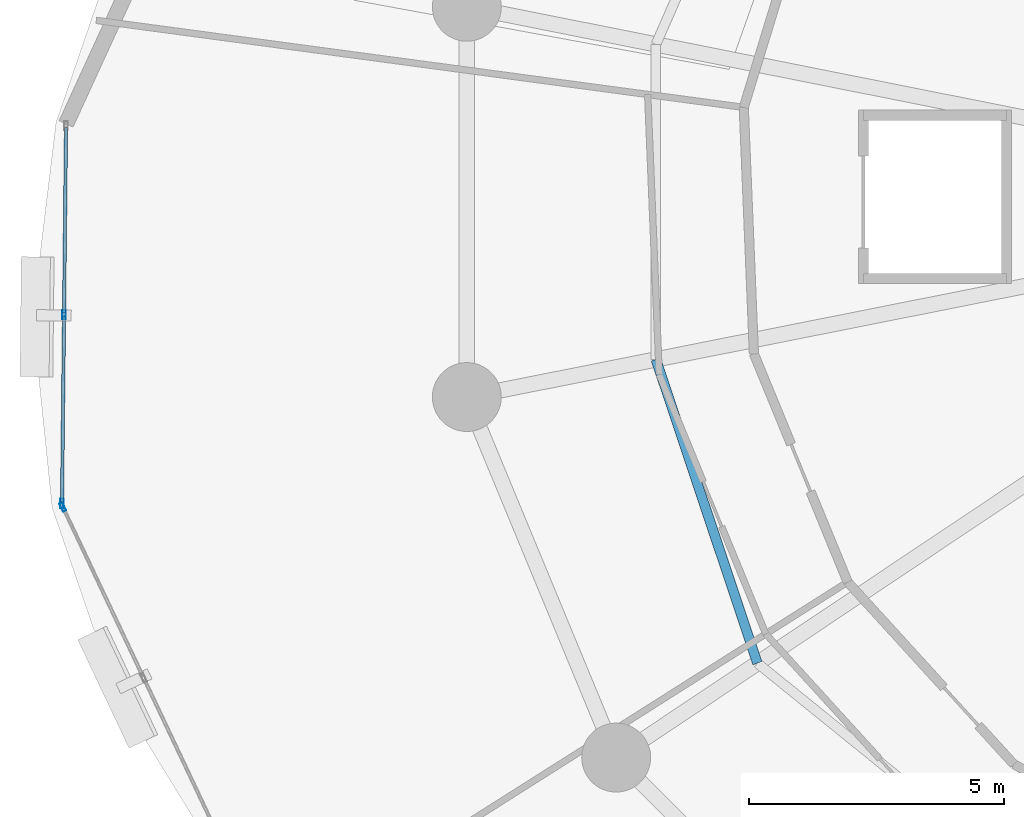
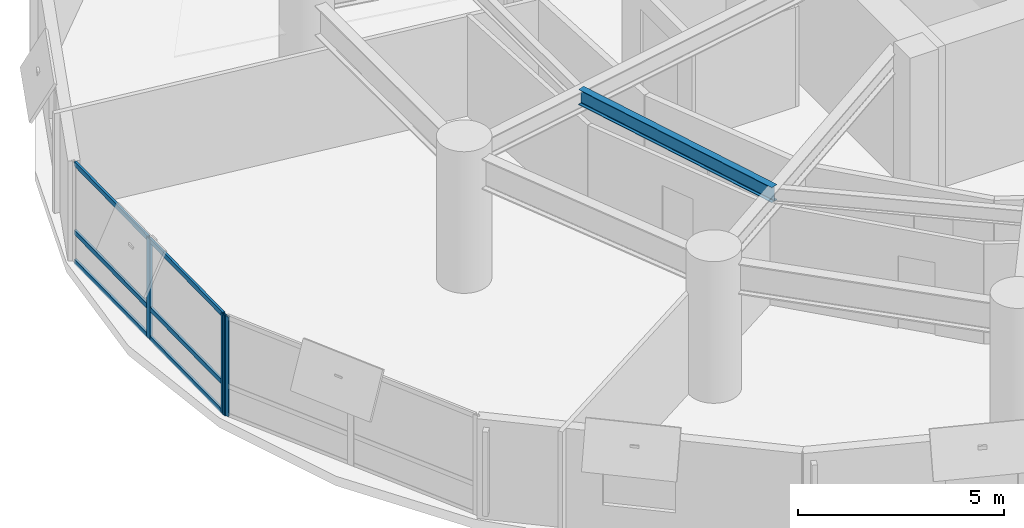
# One storey, part 4 of 17: 9 members, 1 beam, 2 elements without a shape of their own.
"""IFC4 building model written with IfcOpenShell, lengths in metres."""

import ifcopenshell
import ifcopenshell.guid

model = None  # the IFC model being written
_history = None  # IfcOwnerHistory: only IFC2X3 demands one
_inside = {}  # id of a spatial element -> (the spatial element, [elements in it])
_under = {}  # id of a project, library or spatial element -> (it, [spatial elements below it])
_declared = {}  # id of a project -> (the project, [libraries it declares])
_typed = {}  # id of a type object -> (the type object, [elements of that type])
_made_of = {}  # id of a material, layer set ... -> (it, [elements and type objects made of it])


def new_model(schema):
    """Start an empty IFC model of exactly this schema.

    Asked for "IFC4X3", IfcOpenShell would pick the latest addendum, in which some entities
    have other attributes; the version numbers below select the first issue.
    IFC2X3 requires an IfcOwnerHistory on every rooted entity: one is made here for all.
    """
    global model, _history
    if schema == "IFC4X3":
        model = ifcopenshell.file(schema_version=(4, 3, 0, 0))
    else:
        model = ifcopenshell.file(schema=schema)
    _inside.clear()
    _under.clear()
    _declared.clear()
    _typed.clear()
    _made_of.clear()
    _history = None
    if model.schema == "IFC2X3":
        org = make("IfcOrganization", Name="unknown")
        user = make(
            "IfcPersonAndOrganization",
            ThePerson=make("IfcPerson", FamilyName="unknown"),
            TheOrganization=org,
        )
        app = make(
            "IfcApplication",
            ApplicationDeveloper=org,
            Version="unknown",
            ApplicationFullName="unknown",
            ApplicationIdentifier="unknown",
        )
        _history = make(
            "IfcOwnerHistory",
            OwningUser=user,
            OwningApplication=app,
            ChangeAction="ADDED",
            CreationDate=0,
        )
    return model


def make(cls, **values):
    """One entity of the class cls with the attributes given. An attribute that is None is left unset."""
    return model.create_entity(
        cls, **{name: value for name, value in values.items() if value is not None}
    )


def rooted(cls, **values):
    """An entity with a GlobalId (a new one), such as an element, a storey or a relation."""
    return make(cls, GlobalId=ifcopenshell.guid.new(), OwnerHistory=_history, **values)


def si_unit(unit_type, name, prefix=None):
    """IfcSIUnit, for example si_unit("LENGTHUNIT", "METRE", prefix="MILLI")."""
    return make("IfcSIUnit", UnitType=unit_type, Prefix=prefix, Name=name)


def assignment(units):
    """IfcUnitAssignment: the units of a project."""
    return None if units is None else make("IfcUnitAssignment", Units=units)


def point(xyz):
    """IfcCartesianPoint."""
    return None if xyz is None else make("IfcCartesianPoint", Coordinates=xyz)


def direction(xyz):
    """IfcDirection."""
    return None if xyz is None else make("IfcDirection", DirectionRatios=xyz)


def frame(location, z_axis=None, x_axis=None):
    """IfcAxis2Placement3D, a coordinate frame: its origin and axes. An axis left out is left unset."""
    return make(
        "IfcAxis2Placement3D",
        Location=point(location),
        Axis=direction(z_axis),
        RefDirection=direction(x_axis),
    )


def frame_2d(location, x_axis=None):
    """IfcAxis2Placement2D, a coordinate frame in the plane: its origin and x axis."""
    return make(
        "IfcAxis2Placement2D", Location=point(location), RefDirection=direction(x_axis)
    )


def origin():
    """The frame at (0, 0, 0) with its axes left unset."""
    return frame((0.0, 0.0, 0.0))


def origin_2d():
    """The frame at (0, 0) in the plane with its x axis left unset."""
    return frame_2d((0.0, 0.0))


def place(relative_to, where):
    """IfcLocalPlacement: puts the frame where relative to a parent placement (None: the world)."""
    return make(
        "IfcLocalPlacement", PlacementRelTo=relative_to, RelativePlacement=where
    )


def context(
    kind, dimensions, precision=None, world=None, true_north=None, identifier=None
):
    """IfcGeometricRepresentationContext, for example the 3D "Model" context."""
    return make(
        "IfcGeometricRepresentationContext",
        ContextIdentifier=identifier,
        ContextType=kind,
        CoordinateSpaceDimension=dimensions,
        Precision=precision,
        WorldCoordinateSystem=world,
        TrueNorth=true_north,
    )


def subcontext(parent, identifier, kind, view, scale=None):
    """IfcGeometricRepresentationSubContext, for example "Body" below "Model"."""
    return make(
        "IfcGeometricRepresentationSubContext",
        ContextIdentifier=identifier,
        ContextType=kind,
        ParentContext=parent,
        TargetScale=scale,
        TargetView=view,
    )


def project(units=None, contexts=None):
    """IfcProject with its units and contexts."""
    return rooted(
        "IfcProject",
        Name="project",
        RepresentationContexts=contexts,
        UnitsInContext=assignment(units),
    )


def spatial(cls, under=None, at=None, **own):
    """A site, building, storey or space (cls), placed at a placement, below another one or the project."""
    s = rooted(cls, ObjectPlacement=at, **own)
    if under is not None:
        _under.setdefault(under.id(), (under, []))[1].append(s)
    return s


def profile(cls, at=None, kind="AREA", **sizes):
    """A parametric profile (cls). Its sizes go by their IFC names, for example OverallWidth=200.0."""
    return make(cls, ProfileType=kind, Position=at, **sizes)


def hollow_rectangle(**sizes):
    """IfcRectangleHollowProfileDef."""
    return profile("IfcRectangleHollowProfileDef", **sizes)


def i_section(**sizes):
    """IfcIShapeProfileDef."""
    return profile("IfcIShapeProfileDef", **sizes)


def extrude(swept, where, along, depth):
    """IfcExtrudedAreaSolid: the profile swept, set in the frame where, extruded along a direction by depth."""
    return make(
        "IfcExtrudedAreaSolid",
        SweptArea=swept,
        Position=where,
        ExtrudedDirection=direction(along),
        Depth=depth,
    )


def shape(context_of_items, identifier, shape_type, items):
    """IfcShapeRepresentation: the items that make up one representation, for example the "Body"."""
    return make(
        "IfcShapeRepresentation",
        ContextOfItems=context_of_items,
        RepresentationIdentifier=identifier,
        RepresentationType=shape_type,
        Items=items,
    )


def material(Name=None, Category=None):
    """IfcMaterial."""
    return make("IfcMaterial", Name=Name, Category=Category)


def layer(
    of_material, thickness, ventilated=None, Name=None, Category=None, Priority=None
):
    """IfcMaterialLayer: one layer of a wall or slab, of a material (None: an air gap)."""
    return make(
        "IfcMaterialLayer",
        Material=of_material,
        LayerThickness=thickness,
        IsVentilated=ventilated,
        Name=Name,
        Category=Category,
        Priority=Priority,
    )


def layer_set(layers, Name=None):
    """IfcMaterialLayerSet."""
    return make("IfcMaterialLayerSet", MaterialLayers=layers, LayerSetName=Name)


def material_profile(
    of_material, cross_section, Name=None, Category=None, Priority=None
):
    """IfcMaterialProfile: a cross section and its material."""
    return make(
        "IfcMaterialProfile",
        Name=Name,
        Material=of_material,
        Profile=cross_section,
        Priority=Priority,
        Category=Category,
    )


def profile_set(profiles, Name=None, composite=None):
    """IfcMaterialProfileSet."""
    return make(
        "IfcMaterialProfileSet",
        Name=Name,
        MaterialProfiles=profiles,
        CompositeProfile=composite,
    )


def made_of(thing, what):
    """Note that an element or type object is made of a material, layer set ...; save() writes the relation."""
    if what is not None:
        _made_of.setdefault(what.id(), (what, []))[1].append(thing)
    return thing


def type_object(cls, material=None, **own):
    """A type object (cls), such as IfcWallType, which elements share."""
    return made_of(rooted(cls, **own), material)


def element(
    cls,
    number,
    at=None,
    inside=None,
    cuts=None,
    type_object=None,
    material=None,
    context=None,
    identifier="Body",
    shape_type=None,
    held_by="IfcProductDefinitionShape",
    body=None,
    shapes=None,
    **own,
):
    """One element of the class cls, such as IfcWall. Its Tag is "e" and its number.

    at: its placement. inside: the storey or other place that contains it. cuts: it is an
    opening in that element (IfcRelVoidsElement). A single representation is given by context,
    identifier, shape_type and body (its items); several are given by shapes. held_by: the class
    of the entity that holds the representations. save() writes the other relations.
    """
    e = rooted(cls, Tag="e%d" % number, ObjectPlacement=at, **own)
    if body is not None:
        shapes = [shape(context, identifier, shape_type, body)]
    if shapes is not None:
        e.Representation = make(held_by, Representations=shapes)
    if inside is not None:
        _inside.setdefault(inside.id(), (inside, []))[1].append(e)
    if cuts is not None:
        rooted(
            "IfcRelVoidsElement", RelatingBuildingElement=cuts, RelatedOpeningElement=e
        )
    if type_object is not None:
        _typed.setdefault(type_object.id(), (type_object, []))[1].append(e)
    return made_of(e, material)


def aggregate(whole, parts):
    """IfcRelAggregates: a whole, such as a stair, and the parts it consists of."""
    return rooted("IfcRelAggregates", RelatingObject=whole, RelatedObjects=parts)


def save(model, path):
    """Write the relations noted so far, then the file.

    IfcRelAggregates (storeys below a building ...), IfcRelContainedInSpatialStructure (elements
    in a storey), IfcRelDefinesByType, IfcRelAssociatesMaterial and IfcRelDeclares: one each for
    every whole, place, type object, material and project.
    """
    for whole, parts in _under.values():
        aggregate(whole, parts)
    for where, things in _inside.values():
        rooted(
            "IfcRelContainedInSpatialStructure",
            RelatedElements=things,
            RelatingStructure=where,
        )
    for kind, things in _typed.values():
        rooted("IfcRelDefinesByType", RelatedObjects=things, RelatingType=kind)
    for what, things in _made_of.values():
        rooted("IfcRelAssociatesMaterial", RelatedObjects=things, RelatingMaterial=what)
    for by, libraries in _declared.values():
        rooted("IfcRelDeclares", RelatingContext=by, RelatedDefinitions=libraries)
    model.write(path)


model = new_model("IFC4")

# Units and contexts
model_context = context("Model", 3, precision=1e-05, world=origin(), true_north=direction((0.0, 1.0)))
body_context = subcontext(model_context, "Body", "Model", "MODEL_VIEW")
ifc_project = project(units=[si_unit("LENGTHUNIT", "METRE"), si_unit("AREAUNIT", "SQUARE_METRE"), si_unit("VOLUMEUNIT", "CUBIC_METRE"), si_unit("PLANEANGLEUNIT", "RADIAN"), si_unit("MASSUNIT", "GRAM", prefix="KILO"), si_unit("THERMODYNAMICTEMPERATUREUNIT", "KELVIN"), si_unit("POWERUNIT", "WATT")], contexts=[model_context])

# Site, building, storey
site_placement = place(None, origin())
site = spatial("IfcSite", under=ifc_project, at=site_placement, CompositionType="ELEMENT")
building_placement = place(site_placement, origin())
building = spatial("IfcBuilding", under=site, at=building_placement, Name="Ocrelia Relay Tower", CompositionType="ELEMENT")
storey_placement = place(building_placement, frame((0.0, 0.0, 84.60009765625)))
storey = spatial("IfcBuildingStorey", under=building, at=storey_placement, Name="L19", CompositionType="ELEMENT", Elevation=84.60009765625)

# Beam
ifc_material_1 = material(Name="Steel S355", Category="steel")
ifc_material_profile_1 = material_profile(ifc_material_1, i_section(OverallWidth=0.18994140625, OverallDepth=0.449951171875, WebThickness=0.009521484375, FlangeThickness=0.0146484375, FilletRadius=0.02099609375, at=origin_2d()), Name="IPE 450")
ifc_profile_set_1 = profile_set([ifc_material_profile_1], Name="Steel S355")
beam_type = type_object("IfcBeamType", Name="BM-IPE450", PredefinedType="JOIST", material=ifc_profile_set_1)
beam_placement = place(storey_placement, frame((18.481689453125, 22.9130859375, 3.65478515625), z_axis=(0.317067865999, -0.948402851298, 0.0), x_axis=(0.948402851298, 0.317067865999, 0.0)))
element("IfcBeam", 1, at=beam_placement, inside=storey, type_object=beam_type, Name="L19 Secondary Floor Joist J09", PredefinedType="JOIST", context=body_context, shape_type="SweptSolid", body=[
    extrude(i_section(OverallWidth=0.18994140625, OverallDepth=0.449951171875, WebThickness=0.009521484375, FlangeThickness=0.0146484375, FilletRadius=0.02099609375, at=origin_2d()), origin(), (0.0, 0.0, 1.0), 6.276123046875),
])

# Curtain wall, members
ifc_material_2 = material(Name="Aluminium and solar-control low-E glass", Category="aluminium")
ifc_layer = layer(ifc_material_2, 0.179931640625, Name="Aluminium and solar-control low-E glass")
ifc_layer_set = layer_set([ifc_layer], Name="Aluminium and solar-control low-E glass")
curtain_wall_type = type_object("IfcCurtainWallType", Name="CW-SYS-Z1-DATA", PredefinedType="NOTDEFINED", material=ifc_layer_set)
curtain_wall_1_placement = place(storey_placement, origin())
curtain_wall_1 = element("IfcCurtainWall", 2, at=curtain_wall_1_placement, inside=storey, type_object=curtain_wall_type, Name="L19 Elliptical Tower Curtain Wall Bay 09", PredefinedType="NOTDEFINED")
ifc_material_3 = material(Name="Anodised bronze aluminium", Category="aluminium")
ifc_material_profile_2 = material_profile(ifc_material_3, hollow_rectangle(XDim=0.070068359375, YDim=0.179931640625, WallThickness=0.006103515625, at=origin_2d()), Name="CW-MUL-180x70")
ifc_profile_set_2 = profile_set([ifc_material_profile_2], Name="Anodised bronze aluminium")
member_type_1 = type_object("IfcMemberType", Name="CW-SYS-Z1-DATA-MUL", PredefinedType="MULLION", material=ifc_profile_set_2)
member_1_placement = place(storey_placement, frame((6.883056640625, 23.79150390625, 0.0), z_axis=(0.0, 0.0, 1.0), x_axis=(0.999943306038, -0.010648225703, 0.0)))
member_1 = element("IfcMember", 3, at=member_1_placement, type_object=member_type_1, Name="CW-Z1 mullion 2", PredefinedType="MULLION", context=body_context, shape_type="SweptSolid", body=[
    extrude(hollow_rectangle(XDim=0.070068359375, YDim=0.179931640625, WallThickness=0.006103515625, at=origin_2d()), origin(), (0.0, 0.0, 1.0), 2.9599609375),
])
member_2_placement = place(storey_placement, frame((6.84375, 20.089111328125, 0.0), z_axis=(0.0, 0.0, 1.0), x_axis=(0.999943306038, -0.010648225703, 0.0)))
member_2 = element("IfcMember", 4, at=member_2_placement, type_object=member_type_1, Name="CW-Z1 mullion 3", PredefinedType="MULLION", context=body_context, shape_type="SweptSolid", body=[
    extrude(hollow_rectangle(XDim=0.070068359375, YDim=0.179931640625, WallThickness=0.006103515625, at=origin_2d()), origin(), (0.0, 0.0, 1.0), 2.9599609375),
])

# Curtain wall, member
curtain_wall_2_placement = place(storey_placement, origin())
curtain_wall_2 = element("IfcCurtainWall", 5, at=curtain_wall_2_placement, inside=storey, type_object=curtain_wall_type, Name="L19 Elliptical Tower Curtain Wall Bay 10", PredefinedType="NOTDEFINED")
member_3_placement = place(storey_placement, frame((6.858154296875, 20.0224609375, 0.0), z_axis=(0.0, 0.0, 1.0), x_axis=(0.904007319027, 0.42751697878, 0.0)))
member_3 = element("IfcMember", 6, at=member_3_placement, type_object=member_type_1, Name="CW-Z1 mullion 1", PredefinedType="MULLION", context=body_context, shape_type="SweptSolid", body=[
    extrude(hollow_rectangle(XDim=0.070068359375, YDim=0.179931640625, WallThickness=0.006103515625, at=origin_2d()), origin(), (0.0, 0.0, 1.0), 2.9599609375),
])
aggregate(curtain_wall_2, [member_3])

# Member
ifc_material_profile_3 = material_profile(ifc_material_3, hollow_rectangle(XDim=0.06494140625, YDim=0.139892578125, WallThickness=0.0048828125, at=origin_2d()), Name="CW-TRN-140x65")
ifc_profile_set_3 = profile_set([ifc_material_profile_3], Name="Anodised bronze aluminium")
member_type_2 = type_object("IfcMemberType", Name="CW-SYS-Z1-DATA-TRN", PredefinedType="USERDEFINED", material=ifc_profile_set_3)
member_4_placement = place(storey_placement, frame((6.922119140625, 27.458984375, 0.032470703125), z_axis=(-0.010619108165, -0.999943615681, 0.0), x_axis=(0.999943615681, -0.010619108165, 0.0)))
member_4 = element("IfcMember", 7, at=member_4_placement, type_object=member_type_2, Name="CW-Z1 transom 1.1", ObjectType="TRANSOM", PredefinedType="USERDEFINED", context=body_context, shape_type="SweptSolid", body=[
    extrude(hollow_rectangle(XDim=0.06494140625, YDim=0.139892578125, WallThickness=0.0048828125, at=origin_2d()), origin(), (0.0, 0.0, 1.0), 3.632568359375),
])

member_5_placement = place(storey_placement, frame((6.922119140625, 27.458984375, 0.89990234375), z_axis=(-0.010619108165, -0.999943615681, 0.0), x_axis=(0.999943615681, -0.010619108165, 0.0)))
member_5 = element("IfcMember", 8, at=member_5_placement, type_object=member_type_2, Name="CW-Z1 transom 1.2", ObjectType="TRANSOM", PredefinedType="USERDEFINED", context=body_context, shape_type="SweptSolid", body=[
    extrude(hollow_rectangle(XDim=0.06494140625, YDim=0.139892578125, WallThickness=0.0048828125, at=origin_2d()), origin(), (0.0, 0.0, 1.0), 3.632568359375),
])

member_6_placement = place(storey_placement, frame((6.922119140625, 27.458984375, 2.927490234375), z_axis=(-0.010619108165, -0.999943615681, 0.0), x_axis=(0.999943615681, -0.010619108165, 0.0)))
member_6 = element("IfcMember", 9, at=member_6_placement, type_object=member_type_2, Name="CW-Z1 transom 1.3", ObjectType="TRANSOM", PredefinedType="USERDEFINED", context=body_context, shape_type="SweptSolid", body=[
    extrude(hollow_rectangle(XDim=0.06494140625, YDim=0.139892578125, WallThickness=0.0048828125, at=origin_2d()), origin(), (0.0, 0.0, 1.0), 3.632568359375),
])

member_7_placement = place(storey_placement, frame((6.8828125, 23.756591796875, 0.032470703125), z_axis=(-0.010685591927, -0.999942907433, 0.0), x_axis=(0.999942907433, -0.010685591927, 0.0)))
member_7 = element("IfcMember", 10, at=member_7_placement, type_object=member_type_2, Name="CW-Z1 transom 2.1", ObjectType="TRANSOM", PredefinedType="USERDEFINED", context=body_context, shape_type="SweptSolid", body=[
    extrude(hollow_rectangle(XDim=0.06494140625, YDim=0.139892578125, WallThickness=0.0048828125, at=origin_2d()), origin(), (0.0, 0.0, 1.0), 3.6328125),
])

member_8_placement = place(storey_placement, frame((6.8828125, 23.756591796875, 0.89990234375), z_axis=(-0.010685591927, -0.999942907433, 0.0), x_axis=(0.999942907433, -0.010685591927, 0.0)))
member_8 = element("IfcMember", 11, at=member_8_placement, type_object=member_type_2, Name="CW-Z1 transom 2.2", ObjectType="TRANSOM", PredefinedType="USERDEFINED", context=body_context, shape_type="SweptSolid", body=[
    extrude(hollow_rectangle(XDim=0.06494140625, YDim=0.139892578125, WallThickness=0.0048828125, at=origin_2d()), origin(), (0.0, 0.0, 1.0), 3.6328125),
])

member_9_placement = place(storey_placement, frame((6.8828125, 23.756591796875, 2.927490234375), z_axis=(-0.010685591927, -0.999942907433, 0.0), x_axis=(0.999942907433, -0.010685591927, 0.0)))
member_9 = element("IfcMember", 12, at=member_9_placement, type_object=member_type_2, Name="CW-Z1 transom 2.3", ObjectType="TRANSOM", PredefinedType="USERDEFINED", context=body_context, shape_type="SweptSolid", body=[
    extrude(hollow_rectangle(XDim=0.06494140625, YDim=0.139892578125, WallThickness=0.0048828125, at=origin_2d()), origin(), (0.0, 0.0, 1.0), 3.6328125),
])

aggregate(curtain_wall_1, [member_1, member_2, member_4, member_5, member_6, member_7, member_8, member_9])

save(model, "model.ifc")
